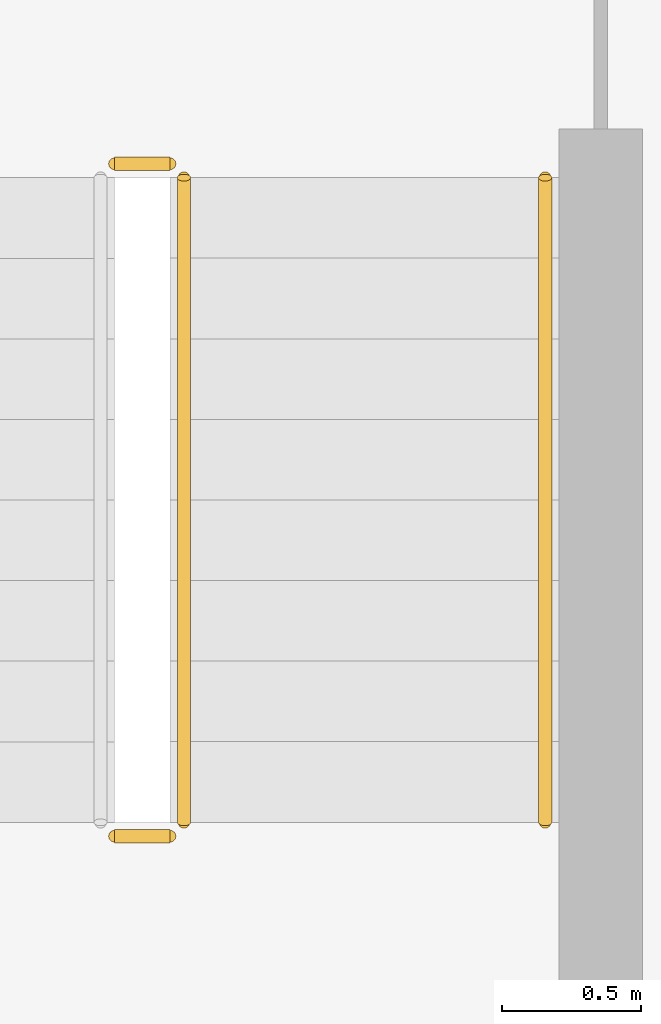
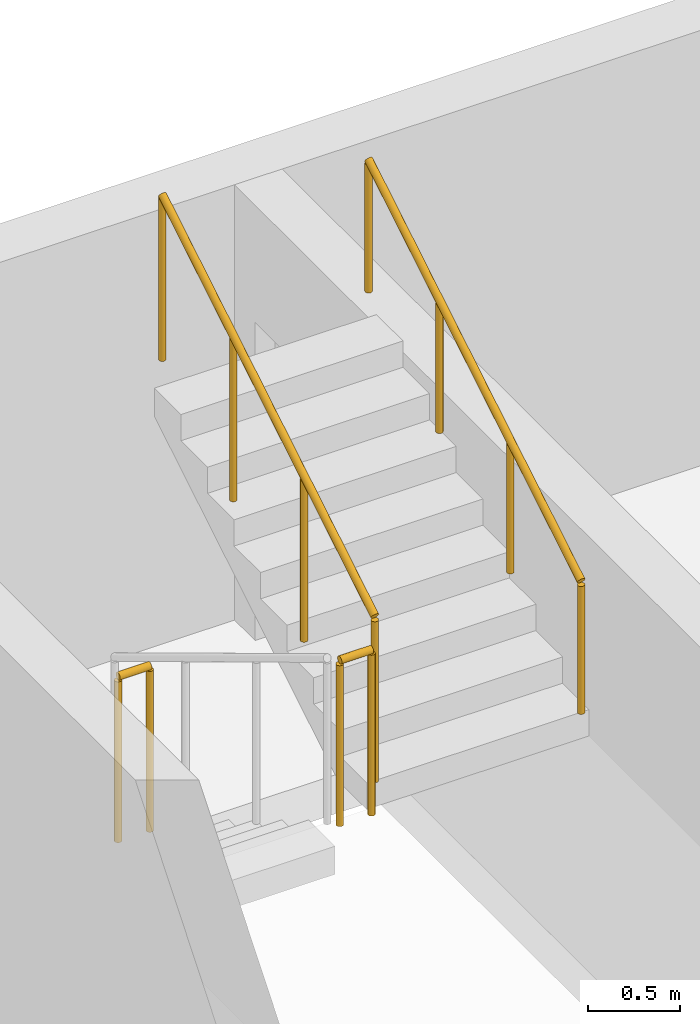
# One storey, part 27 of 35: 4 railings.
"""IFC4 building model written with IfcOpenShell, lengths in metres."""

from ifc_helpers import new_model, si_unit, derived_unit, direction, frame, origin, origin_2d, place, context, subcontext, project, spatial, circle, extrude, material, type_object, element, save


model = new_model("IFC4")

# Units and contexts
model_context = context("Model", 3, precision=1e-05, world=origin(), true_north=direction((0.0, 1.0)))
body_context = subcontext(model_context, "Body", "Model", "MODEL_VIEW")
ifc_project = project(units=[si_unit("LENGTHUNIT", "METRE"), si_unit("AREAUNIT", "SQUARE_METRE"), si_unit("VOLUMEUNIT", "CUBIC_METRE"), si_unit("PLANEANGLEUNIT", "RADIAN"), si_unit("MASSUNIT", "GRAM", prefix="KILO"), derived_unit("THERMALTRANSMITTANCEUNIT", [(si_unit("MASSUNIT", "GRAM", prefix="KILO"), 1), (si_unit("TIMEUNIT", "SECOND"), -3), (si_unit("THERMODYNAMICTEMPERATUREUNIT", "KELVIN"), -1)])], contexts=[model_context])

# Site, building, storey
site_placement = place(None, origin())
site = spatial("IfcSite", under=ifc_project, at=site_placement, CompositionType="ELEMENT")
building_placement = place(site_placement, origin())
building = spatial("IfcBuilding", under=site, at=building_placement, Name="Ochrekiln Boulevard Commons", CompositionType="ELEMENT")
storey_placement = place(building_placement, frame((0.0, 0.0, 30.97509765625)))
storey = spatial("IfcBuildingStorey", under=building, at=storey_placement, Name="L09", CompositionType="ELEMENT", Elevation=30.97509765625)

# Railings
ifc_material = material(Name="Brushed stainless steel 316 tubular railing", Category="steel")
railing_type_1 = type_object("IfcRailingType", Name="RLG-HDR-900", PredefinedType="HANDRAIL", material=ifc_material)
railing_1_placement = place(storey_placement, frame((9.35009765625, 114.610107421875, 1.75)))
element("IfcRailing", 1, at=railing_1_placement, inside=storey, type_object=railing_type_1, Name="L09 ST-A2 stair handrail 2", PredefinedType="HANDRAIL", context=body_context, shape_type="SweptSolid", body=[
    extrude(circle(Radius=0.02392578125, at=origin_2d()), frame((0.0, 0.0, 0.8759765625), z_axis=(0.0, 0.856186286599, 0.516667245565), x_axis=(-1.0, 0.0, 0.0)), (0.0, 0.0, 1.0), 2.70947265625),
    extrude(circle(Radius=0.02099609375, at=origin_2d()), origin(), (0.0, 0.0, 1.0), 0.851806640625),
    extrude(circle(Radius=0.02099609375, at=origin_2d()), frame((0.0, 0.773193359375, 0.466552734375)), (0.0, 0.0, 1.0), 0.851806640625),
    extrude(circle(Radius=0.02099609375, at=origin_2d()), frame((0.0, 1.546630859375, 0.933349609375)), (0.0, 0.0, 1.0), 0.851806640625),
    extrude(circle(Radius=0.02099609375, at=origin_2d()), frame((0.0, 2.31982421875, 1.39990234375)), (0.0, 0.0, 1.0), 0.851806640625),
])
railing_type_2 = type_object("IfcRailingType", Name="RLG-STR-1120", PredefinedType="BALUSTRADE", material=ifc_material)
railing_2_placement = place(storey_placement, frame((7.800048828125, 114.56005859375, 1.574951171875)))
element("IfcRailing", 2, at=railing_2_placement, inside=storey, type_object=railing_type_2, Name="L09 ST-A2 stair guard 2", PredefinedType="BALUSTRADE", context=body_context, shape_type="SweptSolid", body=[
    extrude(circle(Radius=0.02392578125, at=origin_2d()), frame((0.0, 0.0, 1.09619140625), z_axis=(1.0, 0.0, 0.0), x_axis=(0.0, 1.0, 0.0)), (0.0, 0.0, 1.0), 0.199951171875),
    extrude(circle(Radius=0.02099609375, at=origin_2d()), origin(), (0.0, 0.0, 1.0), 1.072021484375),
    extrude(circle(Radius=0.02099609375, at=origin_2d()), frame((0.199951171875, 0.0, 0.0)), (0.0, 0.0, 1.0), 1.072021484375),
])
railing_3_placement = place(storey_placement, frame((8.050048828125, 114.610107421875, 1.75)))
element("IfcRailing", 3, at=railing_3_placement, inside=storey, type_object=railing_type_2, Name="L09 ST-A2 stair guard 3", PredefinedType="BALUSTRADE", context=body_context, shape_type="SweptSolid", body=[
    extrude(circle(Radius=0.02392578125, at=origin_2d()), frame((0.0, 0.0, 1.09619140625), z_axis=(0.0, 0.856186286599, 0.516667245565), x_axis=(-1.0, 0.0, 0.0)), (0.0, 0.0, 1.0), 2.70947265625),
    extrude(circle(Radius=0.02099609375, at=origin_2d()), origin(), (0.0, 0.0, 1.0), 1.072021484375),
    extrude(circle(Radius=0.02099609375, at=origin_2d()), frame((0.0, 0.773193359375, 0.466552734375)), (0.0, 0.0, 1.0), 1.072021484375),
    extrude(circle(Radius=0.02099609375, at=origin_2d()), frame((0.0, 1.546630859375, 0.933349609375)), (0.0, 0.0, 1.0), 1.072021484375),
    extrude(circle(Radius=0.02099609375, at=origin_2d()), frame((0.0, 2.31982421875, 1.39990234375)), (0.0, 0.0, 1.0), 1.072021484375),
])
railing_4_placement = place(storey_placement, frame((7.800048828125, 116.97998046875, 0.0)))
element("IfcRailing", 4, at=railing_4_placement, inside=storey, type_object=railing_type_2, Name="L09 ST-A2 stair guard 4", PredefinedType="BALUSTRADE", context=body_context, shape_type="SweptSolid", body=[
    extrude(circle(Radius=0.02392578125, at=origin_2d()), frame((0.0, 0.0, 1.09619140625), z_axis=(1.0, 0.0, 0.0), x_axis=(0.0, 1.0, 0.0)), (0.0, 0.0, 1.0), 0.199951171875),
    extrude(circle(Radius=0.02099609375, at=origin_2d()), origin(), (0.0, 0.0, 1.0), 1.072021484375),
    extrude(circle(Radius=0.02099609375, at=origin_2d()), frame((0.199951171875, 0.0, 0.0)), (0.0, 0.0, 1.0), 1.072021484375),
])

save(model, "model.ifc")
